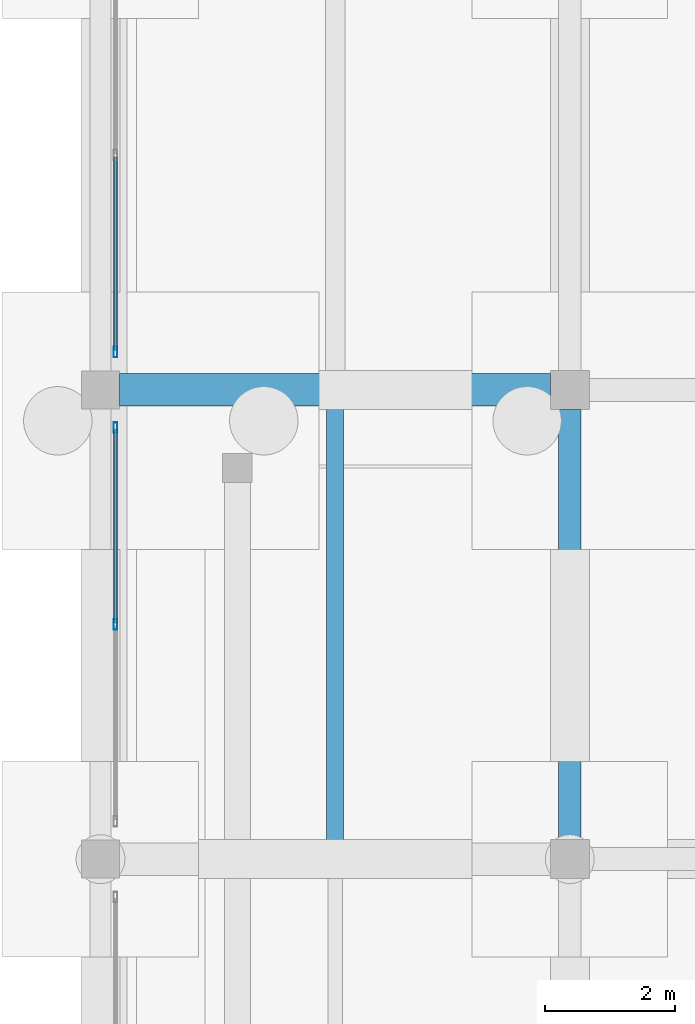
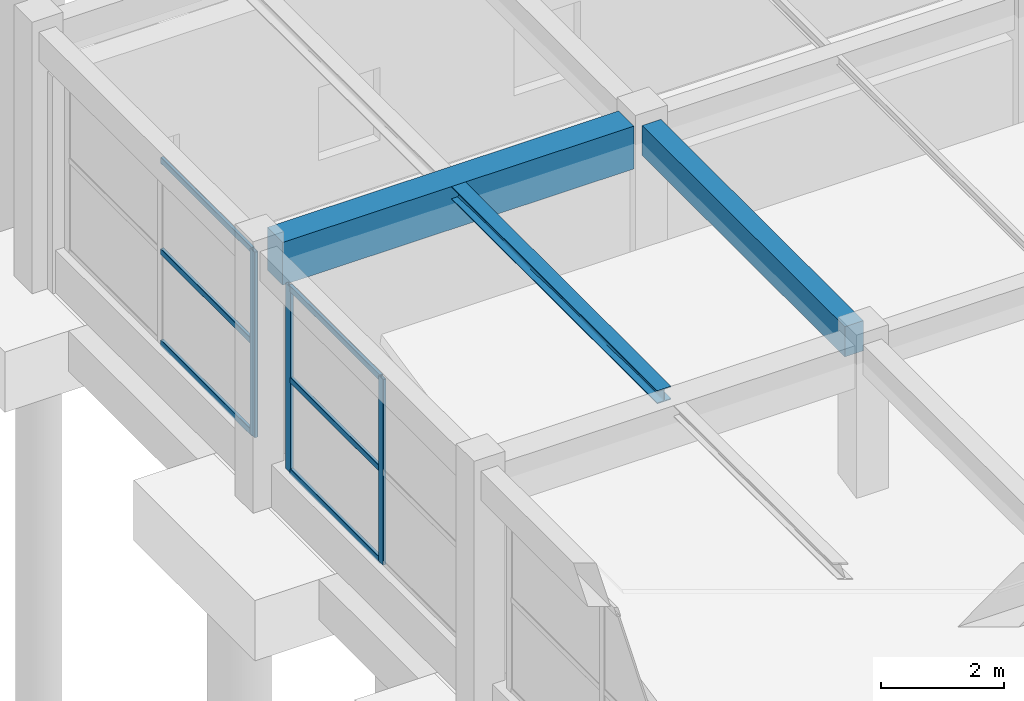
# One storey, part 52 of 91: 9 members, 3 beams, 2 elements without a shape of their own.
"""IFC4 building model written with IfcOpenShell, lengths in metres."""

from ifc_helpers import new_model, si_unit, direction, frame, origin, origin_2d, place, context, subcontext, project, spatial, rectangle, hollow_rectangle, i_section, extrude, material, material_profile, profile_set, type_object, element, aggregate, save


model = new_model("IFC4")

# Units and contexts
model_context = context("Model", 3, precision=1e-05, world=origin(), true_north=direction((0.0, 1.0)))
body_context = subcontext(model_context, "Body", "Model", "MODEL_VIEW")
ifc_project = project(units=[si_unit("LENGTHUNIT", "METRE"), si_unit("AREAUNIT", "SQUARE_METRE"), si_unit("VOLUMEUNIT", "CUBIC_METRE"), si_unit("PLANEANGLEUNIT", "RADIAN"), si_unit("MASSUNIT", "GRAM", prefix="KILO")], contexts=[model_context])

# Site, building, storey
site_placement = place(None, origin())
site = spatial("IfcSite", under=ifc_project, at=site_placement, CompositionType="ELEMENT")
building_placement = place(site_placement, origin())
building = spatial("IfcBuilding", under=site, at=building_placement, Name="Bramveld Media Centre", CompositionType="ELEMENT")
storey_placement = place(building_placement, origin())
storey = spatial("IfcBuildingStorey", under=building, at=storey_placement, Name="L00", CompositionType="ELEMENT", Elevation=0.0)

# Beams
ifc_material_1 = material(Name="Concrete C40/50", Category="concrete")
ifc_material_profile_1 = material_profile(ifc_material_1, rectangle(XDim=0.35009765625, YDim=0.60009765625, at=origin_2d()), Name="RC 350x600")
ifc_profile_set_1 = profile_set([ifc_material_profile_1], Name="Concrete C40/50")
beam_type_1 = type_object("IfcBeamType", Name="BM-INT-RC-350x600", PredefinedType="BEAM", material=ifc_profile_set_1)
beam_1_placement = place(storey_placement, frame((138.39990234375, 53.89990234375, 4.860107421875), z_axis=(0.0, 1.0, 0.0), x_axis=(-1.0, 0.0, 0.0)))
element("IfcBeam", 1, at=beam_1_placement, inside=storey, type_object=beam_type_1, Name="V4 L00 girder Y-482", PredefinedType="BEAM", context=body_context, shape_type="SweptSolid", body=[
    extrude(rectangle(XDim=0.35009765625, YDim=0.60009765625, at=origin_2d()), origin(), (0.0, 0.0, 1.0), 6.60009765625),
])
ifc_material_2 = material(Name="Concrete C40/50", Category="concrete")
ifc_material_profile_2 = material_profile(ifc_material_2, rectangle(XDim=0.5, YDim=0.85009765625, at=origin_2d()), Name="RC 500x850")
ifc_profile_set_2 = profile_set([ifc_material_profile_2], Name="Concrete C40/50")
beam_type_2 = type_object("IfcBeamType", Name="BM-INT-RC-500x850", PredefinedType="BEAM", material=ifc_profile_set_2)
beam_2_placement = place(storey_placement, frame((131.489990234375, 60.800048828125, 4.735107421875), z_axis=(1.0, 0.0, 0.0), x_axis=(0.0, 1.0, 0.0)))
element("IfcBeam", 2, at=beam_2_placement, inside=storey, type_object=beam_type_2, Name="V4 L00 girder X-467", PredefinedType="BEAM", context=body_context, shape_type="SweptSolid", body=[
    extrude(rectangle(XDim=0.5, YDim=0.85009765625, at=origin_2d()), origin(), (0.0, 0.0, 1.0), 6.610107421875),
])

# Curtain wall, members
ifc_material_3 = material(Name="Thermally broken anodized bronze aluminium unitized curtain wall with solar-control triple glazing", Category="aluminium")
curtain_wall_type = type_object("IfcCurtainWallType", Name="CW-FACV4-6100x3690", PredefinedType="NOTDEFINED", material=ifc_material_3)
curtain_wall_1_placement = place(storey_placement, origin())
curtain_wall_1 = element("IfcCurtainWall", 3, at=curtain_wall_1_placement, inside=storey, type_object=curtain_wall_type, Name="V4 L00 W curtain wall bay 3", PredefinedType="NOTDEFINED")
ifc_material_4 = material(Name="Thermally broken anodized bronze aluminium EN AW-6063 T6 curtain-wall framing", Category="aluminium")
ifc_material_profile_3 = material_profile(ifc_material_4, hollow_rectangle(XDim=0.06005859375, YDim=0.159912109375, WallThickness=0.00390625, InnerFilletRadius=0.00390625, OuterFilletRadius=0.008056640625, at=origin_2d()), Name="AL-MULL 60x160")
ifc_profile_set_3 = profile_set([ifc_material_profile_3], Name="Thermally broken anodized bronze aluminium EN AW-6063 T6 curtain-wall framing")
member_type_1 = type_object("IfcMemberType", Name="CW-MULL-EXT", PredefinedType="MULLION", material=ifc_profile_set_3)
member_1_placement = place(storey_placement, frame((131.429931640625, 57.199951171875, 0.85009765625), z_axis=(0.0, 0.0, 1.0), x_axis=(-1.0, 0.0, 0.0)))
member_1 = element("IfcMember", 4, at=member_1_placement, type_object=member_type_1, Name="CW-FA-6136 mullion 2", PredefinedType="MULLION", context=body_context, shape_type="SweptSolid", body=[
    extrude(hollow_rectangle(XDim=0.06005859375, YDim=0.159912109375, WallThickness=0.00390625, InnerFilletRadius=0.00390625, OuterFilletRadius=0.008056640625, at=origin_2d()), origin(), (0.0, 0.0, 1.0), 3.68994140625),
])
member_2_placement = place(storey_placement, frame((131.429931640625, 60.219970703125, 0.85009765625), z_axis=(0.0, 0.0, 1.0), x_axis=(-1.0, 0.0, 0.0)))
member_2 = element("IfcMember", 5, at=member_2_placement, type_object=member_type_1, Name="CW-FA-6136 mullion 3", PredefinedType="MULLION", context=body_context, shape_type="SweptSolid", body=[
    extrude(hollow_rectangle(XDim=0.06005859375, YDim=0.159912109375, WallThickness=0.00390625, InnerFilletRadius=0.00390625, OuterFilletRadius=0.008056640625, at=origin_2d()), origin(), (0.0, 0.0, 1.0), 3.68994140625),
])

# Curtain wall, member
curtain_wall_2_placement = place(storey_placement, origin())
curtain_wall_2 = element("IfcCurtainWall", 6, at=curtain_wall_2_placement, inside=storey, type_object=curtain_wall_type, Name="V4 L00 W curtain wall bay 4", PredefinedType="NOTDEFINED")
member_3_placement = place(storey_placement, frame((131.429931640625, 61.3798828125, 0.85009765625), z_axis=(0.0, 0.0, 1.0), x_axis=(-1.0, 0.0, 0.0)))
member_3 = element("IfcMember", 7, at=member_3_placement, type_object=member_type_1, Name="CW-FA-6136 mullion 1", PredefinedType="MULLION", context=body_context, shape_type="SweptSolid", body=[
    extrude(hollow_rectangle(XDim=0.06005859375, YDim=0.159912109375, WallThickness=0.00390625, InnerFilletRadius=0.00390625, OuterFilletRadius=0.008056640625, at=origin_2d()), origin(), (0.0, 0.0, 1.0), 3.68994140625),
])

# Member
ifc_material_5 = material(Name="Thermally broken anodized bronze aluminium EN AW-6063 T6 curtain-wall framing", Category="aluminium")
ifc_material_profile_4 = material_profile(ifc_material_5, hollow_rectangle(XDim=0.06005859375, YDim=0.1201171875, WallThickness=0.00341796875, InnerFilletRadius=0.00341796875, OuterFilletRadius=0.007080078125, at=origin_2d()), Name="AL-TRAN 60x120")
ifc_profile_set_4 = profile_set([ifc_material_profile_4], Name="Thermally broken anodized bronze aluminium EN AW-6063 T6 curtain-wall framing")
member_type_2 = type_object("IfcMemberType", Name="CW-TRAN-EXT", PredefinedType="USERDEFINED", material=ifc_profile_set_4)
member_4_placement = place(storey_placement, frame((131.429931640625, 57.22998046875, 0.8798828125), z_axis=(0.0, 1.0, 0.0), x_axis=(-1.0, 0.0, 0.0)))
member_4 = element("IfcMember", 8, at=member_4_placement, type_object=member_type_2, Name="CW-FA-6136 transom 2.1", ObjectType="TRANSOM", PredefinedType="USERDEFINED", context=body_context, shape_type="SweptSolid", body=[
    extrude(hollow_rectangle(XDim=0.06005859375, YDim=0.1201171875, WallThickness=0.00341796875, InnerFilletRadius=0.00341796875, OuterFilletRadius=0.007080078125, at=origin_2d()), origin(), (0.0, 0.0, 1.0), 2.9599609375),
])

member_5_placement = place(storey_placement, frame((131.429931640625, 57.22998046875, 2.695068359375), z_axis=(0.0, 1.0, 0.0), x_axis=(-1.0, 0.0, 0.0)))
member_5 = element("IfcMember", 9, at=member_5_placement, type_object=member_type_2, Name="CW-FA-6136 transom 2.2", ObjectType="TRANSOM", PredefinedType="USERDEFINED", context=body_context, shape_type="SweptSolid", body=[
    extrude(hollow_rectangle(XDim=0.06005859375, YDim=0.1201171875, WallThickness=0.00341796875, InnerFilletRadius=0.00341796875, OuterFilletRadius=0.007080078125, at=origin_2d()), origin(), (0.0, 0.0, 1.0), 2.9599609375),
])

member_6_placement = place(storey_placement, frame((131.429931640625, 57.22998046875, 4.510009765625), z_axis=(0.0, 1.0, 0.0), x_axis=(-1.0, 0.0, 0.0)))
member_6 = element("IfcMember", 10, at=member_6_placement, type_object=member_type_2, Name="CW-FA-6136 transom 2.3", ObjectType="TRANSOM", PredefinedType="USERDEFINED", context=body_context, shape_type="SweptSolid", body=[
    extrude(hollow_rectangle(XDim=0.06005859375, YDim=0.1201171875, WallThickness=0.00341796875, InnerFilletRadius=0.00341796875, OuterFilletRadius=0.007080078125, at=origin_2d()), origin(), (0.0, 0.0, 1.0), 2.9599609375),
])

aggregate(curtain_wall_1, [member_1, member_2, member_4, member_5, member_6])

member_7_placement = place(storey_placement, frame((131.429931640625, 61.409912109375, 0.8798828125), z_axis=(0.0, 1.0, 0.0), x_axis=(-1.0, 0.0, 0.0)))
member_7 = element("IfcMember", 11, at=member_7_placement, type_object=member_type_2, Name="CW-FA-6136 transom 1.1", ObjectType="TRANSOM", PredefinedType="USERDEFINED", context=body_context, shape_type="SweptSolid", body=[
    extrude(hollow_rectangle(XDim=0.06005859375, YDim=0.1201171875, WallThickness=0.00341796875, InnerFilletRadius=0.00341796875, OuterFilletRadius=0.007080078125, at=origin_2d()), origin(), (0.0, 0.0, 1.0), 2.960205078125),
])

member_8_placement = place(storey_placement, frame((131.429931640625, 61.409912109375, 2.695068359375), z_axis=(0.0, 1.0, 0.0), x_axis=(-1.0, 0.0, 0.0)))
member_8 = element("IfcMember", 12, at=member_8_placement, type_object=member_type_2, Name="CW-FA-6136 transom 1.2", ObjectType="TRANSOM", PredefinedType="USERDEFINED", context=body_context, shape_type="SweptSolid", body=[
    extrude(hollow_rectangle(XDim=0.06005859375, YDim=0.1201171875, WallThickness=0.00341796875, InnerFilletRadius=0.00341796875, OuterFilletRadius=0.007080078125, at=origin_2d()), origin(), (0.0, 0.0, 1.0), 2.960205078125),
])

member_9_placement = place(storey_placement, frame((131.429931640625, 61.409912109375, 4.510009765625), z_axis=(0.0, 1.0, 0.0), x_axis=(-1.0, 0.0, 0.0)))
member_9 = element("IfcMember", 13, at=member_9_placement, type_object=member_type_2, Name="CW-FA-6136 transom 1.3", ObjectType="TRANSOM", PredefinedType="USERDEFINED", context=body_context, shape_type="SweptSolid", body=[
    extrude(hollow_rectangle(XDim=0.06005859375, YDim=0.1201171875, WallThickness=0.00341796875, InnerFilletRadius=0.00341796875, OuterFilletRadius=0.007080078125, at=origin_2d()), origin(), (0.0, 0.0, 1.0), 2.960205078125),
])

aggregate(curtain_wall_2, [member_3, member_7, member_8, member_9])

# Beam
ifc_material_6 = material(Name="Steel S355J2", Category="steel")
ifc_material_profile_5 = material_profile(ifc_material_6, i_section(OverallWidth=0.260009765625, OverallDepth=0.260009765625, WebThickness=0.010009765625, FlangeThickness=0.017578125, FilletRadius=0.02392578125, at=origin_2d()), Name="HEB 260")
ifc_profile_set_5 = profile_set([ifc_material_profile_5], Name="Steel S355J2")
beam_type_3 = type_object("IfcBeamType", Name="SBM-INT-HEB-260", PredefinedType="BEAM", material=ifc_profile_set_5)
beam_3_placement = place(storey_placement, frame((134.800048828125, 53.85009765625, 5.030029296875), z_axis=(0.0, 1.0, 0.0), x_axis=(-1.0, 0.0, 0.0)))
element("IfcBeam", 14, at=beam_3_placement, inside=storey, type_object=beam_type_3, Name="V4 L00 secondary floor joist 500", PredefinedType="BEAM", context=body_context, shape_type="SweptSolid", body=[
    extrude(i_section(OverallWidth=0.260009765625, OverallDepth=0.260009765625, WebThickness=0.010009765625, FlangeThickness=0.017578125, FilletRadius=0.02392578125, at=origin_2d()), origin(), (0.0, 0.0, 1.0), 6.699951171875),
])

save(model, "model.ifc")
